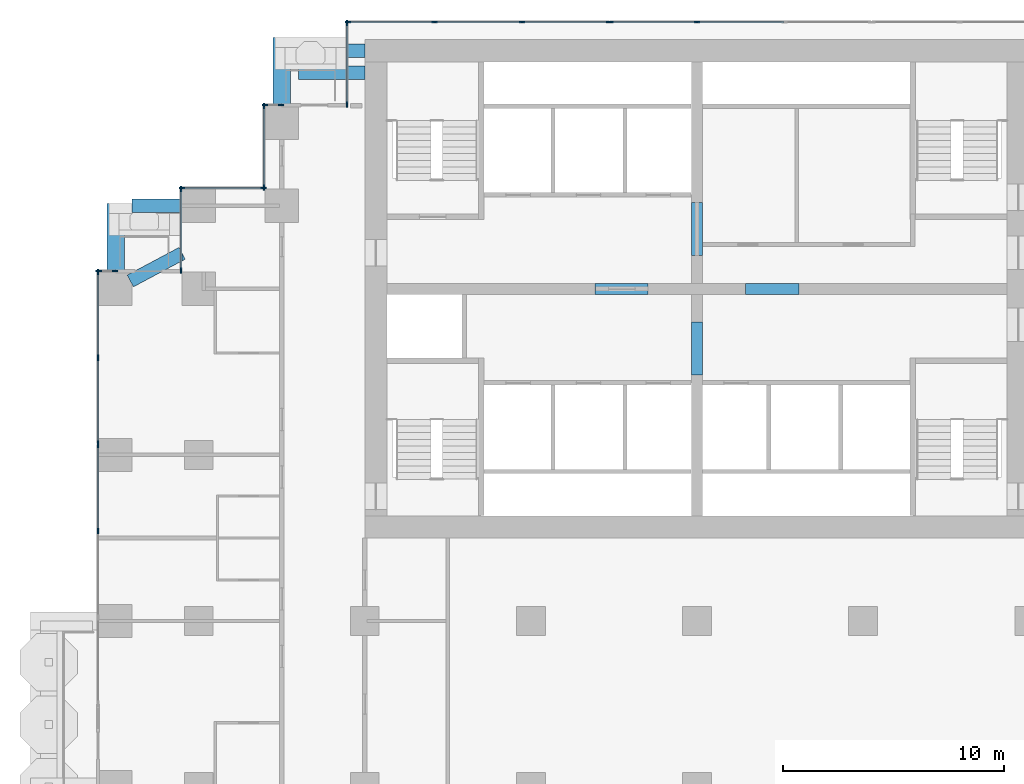
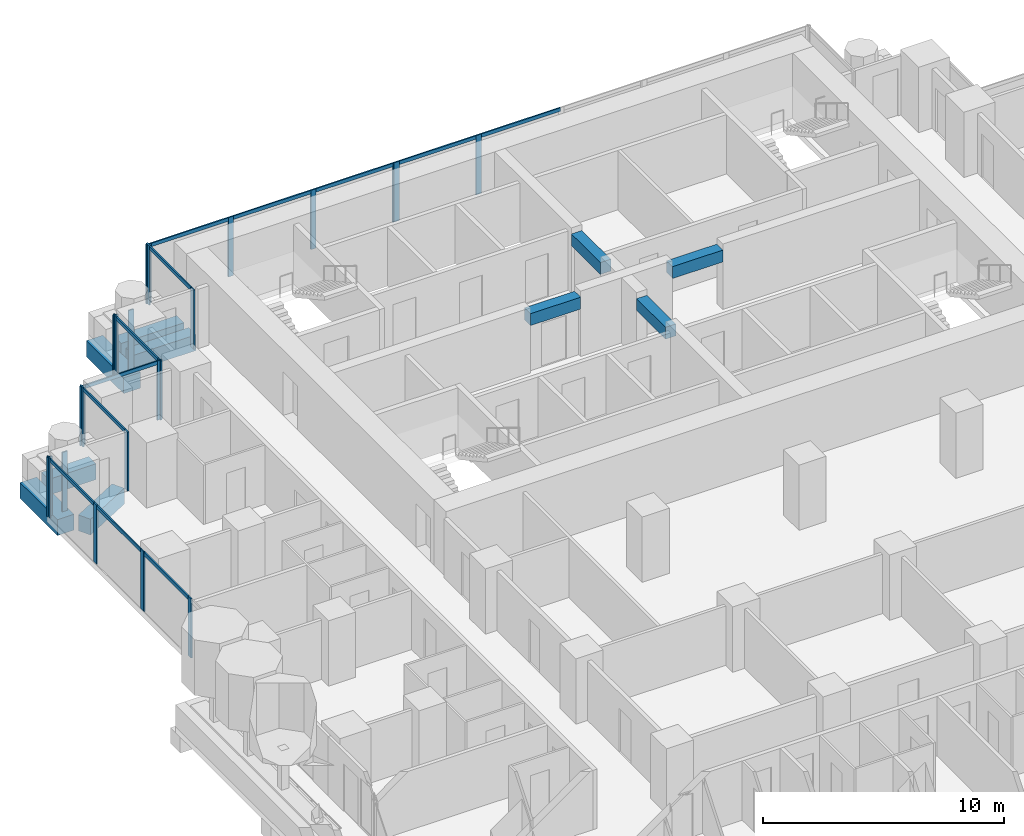
# One storey, part 5 of 19: 35 members, 10 beams, 10 elements without a shape of their own.
"""IFC4 building model written with IfcOpenShell, lengths in metres."""

from ifc_helpers import new_model, si_unit, direction, frame, origin, origin_2d, place, context, subcontext, project, spatial, rectangle, extrude, material, material_profile, profile_set, type_object, element, aggregate, save


model = new_model("IFC4")

# Units and contexts
model_context = context("Model", 3, precision=1e-05, world=origin(), true_north=direction((0.0, 1.0)))
body_context = subcontext(model_context, "Body", "Model", "MODEL_VIEW")
ifc_project = project(units=[si_unit("LENGTHUNIT", "METRE"), si_unit("AREAUNIT", "SQUARE_METRE"), si_unit("VOLUMEUNIT", "CUBIC_METRE"), si_unit("PLANEANGLEUNIT", "RADIAN"), si_unit("MASSUNIT", "GRAM", prefix="KILO")], contexts=[model_context])

# Site, building, storey
site_placement = place(None, origin())
site = spatial("IfcSite", under=ifc_project, at=site_placement, CompositionType="ELEMENT")
building_placement = place(site_placement, origin())
building = spatial("IfcBuilding", under=site, at=building_placement, Name="Pilkhan Gate Tower", CompositionType="ELEMENT")
storey_placement = place(building_placement, frame((0.0, 0.0, 65.89990234375)))
storey = spatial("IfcBuildingStorey", under=building, at=storey_placement, Name="L14", CompositionType="ELEMENT", Elevation=65.89990234375)

# Beams
ifc_material_1 = material(Name="Concrete C50/60", Category="concrete")
ifc_material_profile_1 = material_profile(ifc_material_1, rectangle(XDim=0.60009765625, YDim=0.800048828125, at=origin_2d()), Name="RC 600x800")
ifc_profile_set_1 = profile_set([ifc_material_profile_1], Name="Concrete C50/60")
beam_type_1 = type_object("IfcBeamType", Name="Cantilever beam CB1 RC 600x800 C50/60", PredefinedType="BEAM", material=ifc_profile_set_1)
for number, where, z_axis, x_axis, name in (
    (1, (60.0, 93.25, -0.699951171875), (-1.0, 0.0, 0.0), (0.0, -1.0, 0.0), "Balcony beam NW.2 L14"),
    (2, (60.0, 92.25, -0.699951171875), (-1.0, 0.0, 0.0), (0.0, -1.0, 0.0), "Balcony beam NW.3 L14"),
):
    element("IfcBeam", number, at=place(storey_placement, frame(where, z_axis=z_axis, x_axis=x_axis)), inside=storey, type_object=beam_type_1, Name=name, PredefinedType="BEAM", context=body_context, shape_type="SweptSolid", body=[
        extrude(rectangle(XDim=0.60009765625, YDim=0.800048828125, at=origin_2d()), origin(), (0.0, 0.0, 1.0), 3.0),
    ])
beam_1_placement = place(storey_placement, frame((51.75, 86.25, -0.699951171875), z_axis=(-1.0, 0.0, 0.0), x_axis=(0.0, -1.0, 0.0)))
element("IfcBeam", 3, at=beam_1_placement, inside=storey, type_object=beam_type_1, Name="Balcony beam NW2.2 L14", PredefinedType="BEAM", context=body_context, shape_type="SweptSolid", body=[
    extrude(rectangle(XDim=0.60009765625, YDim=0.800048828125, at=origin_2d()), origin(), (0.0, 0.0, 1.0), 2.25),
])
beam_2_placement = place(storey_placement, frame((49.411865234375, 82.85302734375, -0.699951171875), z_axis=(0.882342739565, 0.470607362817, 0.0), x_axis=(-0.470607362817, 0.882342739565, 0.0)))
element("IfcBeam", 4, at=beam_2_placement, inside=storey, type_object=beam_type_1, Name="Balcony beam NW2.3 L14", PredefinedType="BEAM", context=body_context, shape_type="SweptSolid", body=[
    extrude(rectangle(XDim=0.60009765625, YDim=0.800048828125, at=origin_2d()), origin(), (0.0, 0.0, 1.0), 2.64990234375),
])
ifc_material_profile_2 = material_profile(ifc_material_1, rectangle(XDim=0.800048828125, YDim=0.800048828125, at=origin_2d()), Name="RC 800x800")
ifc_profile_set_2 = profile_set([ifc_material_profile_2], Name="Concrete C50/60")
beam_type_2 = type_object("IfcBeamType", Name="Cantilever beam CB2 RC 800x800 C50/60", PredefinedType="BEAM", material=ifc_profile_set_2)
for number, where, z_axis, x_axis, name in (
    (5, (56.25, 90.75, -0.699951171875), (0.0, 1.0, 0.0), (-1.0, 0.0, 0.0), "Balcony beam NW.1 L14"),
    (6, (48.75, 83.25, -0.699951171875), (0.0, 1.0, 0.0), (-1.0, 0.0, 0.0), "Balcony beam NW2.1 L14"),
):
    element("IfcBeam", number, at=place(storey_placement, frame(where, z_axis=z_axis, x_axis=x_axis)), inside=storey, type_object=beam_type_2, Name=name, PredefinedType="BEAM", context=body_context, shape_type="SweptSolid", body=[
        extrude(rectangle(XDim=0.800048828125, YDim=0.800048828125, at=origin_2d()), origin(), (0.0, 0.0, 1.0), 3.10009765625),
    ])
ifc_material_2 = material(Name="Concrete C70/85", Category="concrete")
ifc_material_profile_3 = material_profile(ifc_material_2, rectangle(XDim=0.5, YDim=0.60009765625, at=origin_2d()), Name="RC 500x600")
ifc_profile_set_3 = profile_set([ifc_material_profile_3], Name="Concrete C70/85")
beam_type_3 = type_object("IfcBeamType", Name="Coupling beam CB60 RC 500x600 C70/85", PredefinedType="LINTEL", material=ifc_profile_set_3)
for number, where, z_axis, x_axis, name in (
    (7, (70.39990234375, 82.5, 2.7001953125), (1.0, 0.0, 0.0), (0.0, 1.0, 0.0), "Coupling beam 1 L14"),
    (8, (77.199951171875, 82.5, 2.7001953125), (1.0, 0.0, 0.0), (0.0, 1.0, 0.0), "Coupling beam 2 L14"),
):
    element("IfcBeam", number, at=place(storey_placement, frame(where, z_axis=z_axis, x_axis=x_axis)), inside=storey, type_object=beam_type_3, Name=name, PredefinedType="LINTEL", context=body_context, shape_type="SweptSolid", body=[
        extrude(rectangle(XDim=0.5, YDim=0.60009765625, at=origin_2d()), origin(), (0.0, 0.0, 1.0), 2.400146484375),
    ])
for number, where, z_axis, x_axis, name in (
    (9, (75.0, 78.60009765625, 2.7001953125), (0.0, 1.0, 0.0), (-1.0, 0.0, 0.0), "Coupling beam 3 L14"),
    (10, (75.0, 84.0, 2.7001953125), (0.0, 1.0, 0.0), (-1.0, 0.0, 0.0), "Coupling beam 4 L14"),
):
    element("IfcBeam", number, at=place(storey_placement, frame(where, z_axis=z_axis, x_axis=x_axis)), inside=storey, type_object=beam_type_3, Name=name, PredefinedType="LINTEL", context=body_context, shape_type="SweptSolid", body=[
        extrude(rectangle(XDim=0.5, YDim=0.60009765625, at=origin_2d()), origin(), (0.0, 0.0, 1.0), 2.39990234375),
    ])

# Curtain wall, members
ifc_material_3 = material(Name="Pale anodised aluminium, clear low-iron double glazing", Category="aluminium")
curtain_wall_type = type_object("IfcCurtainWallType", Name="Hotel unitised curtain wall CW-H", PredefinedType="USERDEFINED", material=ifc_material_3)
curtain_wall_1_placement = place(storey_placement, origin())
curtain_wall_1 = element("IfcCurtainWall", 11, at=curtain_wall_1_placement, inside=storey, type_object=curtain_wall_type, Name="Hotel unitised curtain wall CW-H L14 N", ObjectType="UNITISED CURTAIN WALL", PredefinedType="USERDEFINED")
ifc_material_4 = material(Name="Pale anodised aluminium", Category="aluminium")
ifc_material_profile_4 = material_profile(ifc_material_4, rectangle(XDim=0.06494140625, YDim=0.25, at=origin_2d()), Name="Mullion 250x65")
ifc_profile_set_4 = profile_set([ifc_material_profile_4], Name="Pale anodised aluminium")
member_type_1 = type_object("IfcMemberType", Name="Mullion CW-H 250x65", PredefinedType="MULLION", material=ifc_profile_set_4)
member_1_placement = place(storey_placement, frame((59.237548828125, 94.544921875, 0.0), z_axis=(0.0, 0.0, 1.0), x_axis=(0.0, 1.0, 0.0)))
member_1 = element("IfcMember", 12, at=member_1_placement, type_object=member_type_1, Name="CW-H mullion 1", PredefinedType="MULLION", context=body_context, shape_type="SweptSolid", body=[
    extrude(rectangle(XDim=0.06494140625, YDim=0.25, at=origin_2d()), origin(), (0.0, 0.0, 1.0), 3.0),
])
member_2_placement = place(storey_placement, frame((63.15380859375, 94.544921875, 0.0), z_axis=(0.0, 0.0, 1.0), x_axis=(0.0, 1.0, 0.0)))
member_2 = element("IfcMember", 13, at=member_2_placement, type_object=member_type_1, Name="CW-H mullion 2", PredefinedType="MULLION", context=body_context, shape_type="SweptSolid", body=[
    extrude(rectangle(XDim=0.06494140625, YDim=0.25, at=origin_2d()), origin(), (0.0, 0.0, 1.0), 3.0),
])
member_3_placement = place(storey_placement, frame((67.1025390625, 94.544921875, 0.0), z_axis=(0.0, 0.0, 1.0), x_axis=(0.0, 1.0, 0.0)))
member_3 = element("IfcMember", 14, at=member_3_placement, type_object=member_type_1, Name="CW-H mullion 3", PredefinedType="MULLION", context=body_context, shape_type="SweptSolid", body=[
    extrude(rectangle(XDim=0.06494140625, YDim=0.25, at=origin_2d()), origin(), (0.0, 0.0, 1.0), 3.0),
])
member_4_placement = place(storey_placement, frame((71.018798828125, 94.544921875, 0.0), z_axis=(0.0, 0.0, 1.0), x_axis=(0.0, 1.0, 0.0)))
member_4 = element("IfcMember", 15, at=member_4_placement, type_object=member_type_1, Name="CW-H mullion 4", PredefinedType="MULLION", context=body_context, shape_type="SweptSolid", body=[
    extrude(rectangle(XDim=0.06494140625, YDim=0.25, at=origin_2d()), origin(), (0.0, 0.0, 1.0), 3.0),
])

curtain_wall_2_placement = place(storey_placement, origin())
curtain_wall_2 = element("IfcCurtainWall", 16, at=curtain_wall_2_placement, inside=storey, type_object=curtain_wall_type, Name="Hotel unitised curtain wall CW-H L14 N", ObjectType="UNITISED CURTAIN WALL", PredefinedType="USERDEFINED")
member_5_placement = place(storey_placement, frame((71.083740234375, 94.544921875, 0.0), z_axis=(0.0, 0.0, 1.0), x_axis=(0.0, 1.0, 0.0)))
member_5 = element("IfcMember", 17, at=member_5_placement, type_object=member_type_1, Name="CW-H mullion 1", PredefinedType="MULLION", context=body_context, shape_type="SweptSolid", body=[
    extrude(rectangle(XDim=0.06494140625, YDim=0.25, at=origin_2d()), origin(), (0.0, 0.0, 1.0), 3.0),
])
member_6_placement = place(storey_placement, frame((75.0, 94.544921875, 0.0), z_axis=(0.0, 0.0, 1.0), x_axis=(0.0, 1.0, 0.0)))
member_6 = element("IfcMember", 18, at=member_6_placement, type_object=member_type_1, Name="CW-H mullion 2", PredefinedType="MULLION", context=body_context, shape_type="SweptSolid", body=[
    extrude(rectangle(XDim=0.06494140625, YDim=0.25, at=origin_2d()), origin(), (0.0, 0.0, 1.0), 3.0),
])

curtain_wall_3_placement = place(storey_placement, origin())
curtain_wall_3 = element("IfcCurtainWall", 19, at=curtain_wall_3_placement, inside=storey, type_object=curtain_wall_type, Name="Hotel unitised curtain wall CW-H L14 W", ObjectType="UNITISED CURTAIN WALL", PredefinedType="USERDEFINED")
member_7_placement = place(storey_placement, frame((59.205078125, 90.827392578125, 0.0), z_axis=(0.0, 0.0, 1.0), x_axis=(-1.0, 0.0, 0.0)))
member_7 = element("IfcMember", 20, at=member_7_placement, type_object=member_type_1, Name="CW-H mullion 1", PredefinedType="MULLION", context=body_context, shape_type="SweptSolid", body=[
    extrude(rectangle(XDim=0.06494140625, YDim=0.25, at=origin_2d()), origin(), (0.0, 0.0, 1.0), 3.0),
])
member_8_placement = place(storey_placement, frame((59.205078125, 94.512451171875, 0.0), z_axis=(0.0, 0.0, 1.0), x_axis=(-1.0, 0.0, 0.0)))
member_8 = element("IfcMember", 21, at=member_8_placement, type_object=member_type_1, Name="CW-H mullion 2", PredefinedType="MULLION", context=body_context, shape_type="SweptSolid", body=[
    extrude(rectangle(XDim=0.06494140625, YDim=0.25, at=origin_2d()), origin(), (0.0, 0.0, 1.0), 3.0),
])

curtain_wall_4_placement = place(storey_placement, origin())
curtain_wall_4 = element("IfcCurtainWall", 22, at=curtain_wall_4_placement, inside=storey, type_object=curtain_wall_type, Name="Hotel unitised curtain wall CW-H L14 N", ObjectType="UNITISED CURTAIN WALL", PredefinedType="USERDEFINED")
member_9_placement = place(storey_placement, frame((55.487548828125, 90.794921875, 0.0), z_axis=(0.0, 0.0, 1.0), x_axis=(0.0, 1.0, 0.0)))
member_9 = element("IfcMember", 23, at=member_9_placement, type_object=member_type_1, Name="CW-H mullion 1", PredefinedType="MULLION", context=body_context, shape_type="SweptSolid", body=[
    extrude(rectangle(XDim=0.06494140625, YDim=0.25, at=origin_2d()), origin(), (0.0, 0.0, 1.0), 3.0),
])
member_10_placement = place(storey_placement, frame((56.217529296875, 90.794921875, 0.0), z_axis=(0.0, 0.0, 1.0), x_axis=(0.0, 1.0, 0.0)))
member_10 = element("IfcMember", 24, at=member_10_placement, type_object=member_type_1, Name="CW-H mullion 2", PredefinedType="MULLION", context=body_context, shape_type="SweptSolid", body=[
    extrude(rectangle(XDim=0.06494140625, YDim=0.25, at=origin_2d()), origin(), (0.0, 0.0, 1.0), 3.0),
])
aggregate(curtain_wall_4, [member_9, member_10])

curtain_wall_5_placement = place(storey_placement, origin())
curtain_wall_5 = element("IfcCurtainWall", 25, at=curtain_wall_5_placement, inside=storey, type_object=curtain_wall_type, Name="Hotel unitised curtain wall CW-H L14 W", ObjectType="UNITISED CURTAIN WALL", PredefinedType="USERDEFINED")
member_11_placement = place(storey_placement, frame((55.455078125, 87.077392578125, 0.0), z_axis=(0.0, 0.0, 1.0), x_axis=(-1.0, 0.0, 0.0)))
member_11 = element("IfcMember", 26, at=member_11_placement, type_object=member_type_1, Name="CW-H mullion 1", PredefinedType="MULLION", context=body_context, shape_type="SweptSolid", body=[
    extrude(rectangle(XDim=0.06494140625, YDim=0.25, at=origin_2d()), origin(), (0.0, 0.0, 1.0), 3.0),
])
member_12_placement = place(storey_placement, frame((55.455078125, 90.762451171875, 0.0), z_axis=(0.0, 0.0, 1.0), x_axis=(-1.0, 0.0, 0.0)))
member_12 = element("IfcMember", 27, at=member_12_placement, type_object=member_type_1, Name="CW-H mullion 2", PredefinedType="MULLION", context=body_context, shape_type="SweptSolid", body=[
    extrude(rectangle(XDim=0.06494140625, YDim=0.25, at=origin_2d()), origin(), (0.0, 0.0, 1.0), 3.0),
])

curtain_wall_6_placement = place(storey_placement, origin())
curtain_wall_6 = element("IfcCurtainWall", 28, at=curtain_wall_6_placement, inside=storey, type_object=curtain_wall_type, Name="Hotel unitised curtain wall CW-H L14 N", ObjectType="UNITISED CURTAIN WALL", PredefinedType="USERDEFINED")
member_13_placement = place(storey_placement, frame((51.737548828125, 87.044921875, 0.0), z_axis=(0.0, 0.0, 1.0), x_axis=(0.0, 1.0, 0.0)))
member_13 = element("IfcMember", 29, at=member_13_placement, type_object=member_type_1, Name="CW-H mullion 1", PredefinedType="MULLION", context=body_context, shape_type="SweptSolid", body=[
    extrude(rectangle(XDim=0.06494140625, YDim=0.25, at=origin_2d()), origin(), (0.0, 0.0, 1.0), 3.0),
])
member_14_placement = place(storey_placement, frame((55.422607421875, 87.044921875, 0.0), z_axis=(0.0, 0.0, 1.0), x_axis=(0.0, 1.0, 0.0)))
member_14 = element("IfcMember", 30, at=member_14_placement, type_object=member_type_1, Name="CW-H mullion 2", PredefinedType="MULLION", context=body_context, shape_type="SweptSolid", body=[
    extrude(rectangle(XDim=0.06494140625, YDim=0.25, at=origin_2d()), origin(), (0.0, 0.0, 1.0), 3.0),
])

curtain_wall_7_placement = place(storey_placement, origin())
curtain_wall_7 = element("IfcCurtainWall", 31, at=curtain_wall_7_placement, inside=storey, type_object=curtain_wall_type, Name="Hotel unitised curtain wall CW-H L14 W", ObjectType="UNITISED CURTAIN WALL", PredefinedType="USERDEFINED")
member_15_placement = place(storey_placement, frame((51.705078125, 83.327392578125, 0.0), z_axis=(0.0, 0.0, 1.0), x_axis=(-1.0, 0.0, 0.0)))
member_15 = element("IfcMember", 32, at=member_15_placement, type_object=member_type_1, Name="CW-H mullion 1", PredefinedType="MULLION", context=body_context, shape_type="SweptSolid", body=[
    extrude(rectangle(XDim=0.06494140625, YDim=0.25, at=origin_2d()), origin(), (0.0, 0.0, 1.0), 3.0),
])
member_16_placement = place(storey_placement, frame((51.705078125, 87.012451171875, 0.0), z_axis=(0.0, 0.0, 1.0), x_axis=(-1.0, 0.0, 0.0)))
member_16 = element("IfcMember", 33, at=member_16_placement, type_object=member_type_1, Name="CW-H mullion 2", PredefinedType="MULLION", context=body_context, shape_type="SweptSolid", body=[
    extrude(rectangle(XDim=0.06494140625, YDim=0.25, at=origin_2d()), origin(), (0.0, 0.0, 1.0), 3.0),
])

curtain_wall_8_placement = place(storey_placement, origin())
curtain_wall_8 = element("IfcCurtainWall", 34, at=curtain_wall_8_placement, inside=storey, type_object=curtain_wall_type, Name="Hotel unitised curtain wall CW-H L14 N", ObjectType="UNITISED CURTAIN WALL", PredefinedType="USERDEFINED")
member_17_placement = place(storey_placement, frame((47.987548828125, 83.294921875, 0.0), z_axis=(0.0, 0.0, 1.0), x_axis=(0.0, 1.0, 0.0)))
member_17 = element("IfcMember", 35, at=member_17_placement, type_object=member_type_1, Name="CW-H mullion 1", PredefinedType="MULLION", context=body_context, shape_type="SweptSolid", body=[
    extrude(rectangle(XDim=0.06494140625, YDim=0.25, at=origin_2d()), origin(), (0.0, 0.0, 1.0), 3.0),
])
member_18_placement = place(storey_placement, frame((48.717529296875, 83.294921875, 0.0), z_axis=(0.0, 0.0, 1.0), x_axis=(0.0, 1.0, 0.0)))
member_18 = element("IfcMember", 36, at=member_18_placement, type_object=member_type_1, Name="CW-H mullion 2", PredefinedType="MULLION", context=body_context, shape_type="SweptSolid", body=[
    extrude(rectangle(XDim=0.06494140625, YDim=0.25, at=origin_2d()), origin(), (0.0, 0.0, 1.0), 3.0),
])
aggregate(curtain_wall_8, [member_17, member_18])

curtain_wall_9_placement = place(storey_placement, origin())
curtain_wall_9 = element("IfcCurtainWall", 37, at=curtain_wall_9_placement, inside=storey, type_object=curtain_wall_type, Name="Hotel unitised curtain wall CW-H L14 W", ObjectType="UNITISED CURTAIN WALL", PredefinedType="USERDEFINED")
member_19_placement = place(storey_placement, frame((47.955078125, 71.568115234375, 0.0), z_axis=(0.0, 0.0, 1.0), x_axis=(-1.0, 0.0, 0.0)))
member_19 = element("IfcMember", 38, at=member_19_placement, type_object=member_type_1, Name="CW-H mullion 3", PredefinedType="MULLION", context=body_context, shape_type="SweptSolid", body=[
    extrude(rectangle(XDim=0.06494140625, YDim=0.25, at=origin_2d()), origin(), (0.0, 0.0, 1.0), 3.0),
])
member_20_placement = place(storey_placement, frame((47.955078125, 75.444580078125, 0.0), z_axis=(0.0, 0.0, 1.0), x_axis=(-1.0, 0.0, 0.0)))
member_20 = element("IfcMember", 39, at=member_20_placement, type_object=member_type_1, Name="CW-H mullion 4", PredefinedType="MULLION", context=body_context, shape_type="SweptSolid", body=[
    extrude(rectangle(XDim=0.06494140625, YDim=0.25, at=origin_2d()), origin(), (0.0, 0.0, 1.0), 3.0),
])

curtain_wall_10_placement = place(storey_placement, origin())
curtain_wall_10 = element("IfcCurtainWall", 40, at=curtain_wall_10_placement, inside=storey, type_object=curtain_wall_type, Name="Hotel unitised curtain wall CW-H L14 W", ObjectType="UNITISED CURTAIN WALL", PredefinedType="USERDEFINED")
member_21_placement = place(storey_placement, frame((47.955078125, 75.509521484375, 0.0), z_axis=(0.0, 0.0, 1.0), x_axis=(-1.0, 0.0, 0.0)))
member_21 = element("IfcMember", 41, at=member_21_placement, type_object=member_type_1, Name="CW-H mullion 1", PredefinedType="MULLION", context=body_context, shape_type="SweptSolid", body=[
    extrude(rectangle(XDim=0.06494140625, YDim=0.25, at=origin_2d()), origin(), (0.0, 0.0, 1.0), 3.0),
])
member_22_placement = place(storey_placement, frame((47.955078125, 79.385986328125, 0.0), z_axis=(0.0, 0.0, 1.0), x_axis=(-1.0, 0.0, 0.0)))
member_22 = element("IfcMember", 42, at=member_22_placement, type_object=member_type_1, Name="CW-H mullion 2", PredefinedType="MULLION", context=body_context, shape_type="SweptSolid", body=[
    extrude(rectangle(XDim=0.06494140625, YDim=0.25, at=origin_2d()), origin(), (0.0, 0.0, 1.0), 3.0),
])
member_23_placement = place(storey_placement, frame((47.955078125, 83.262451171875, 0.0), z_axis=(0.0, 0.0, 1.0), x_axis=(-1.0, 0.0, 0.0)))
member_23 = element("IfcMember", 43, at=member_23_placement, type_object=member_type_1, Name="CW-H mullion 3", PredefinedType="MULLION", context=body_context, shape_type="SweptSolid", body=[
    extrude(rectangle(XDim=0.06494140625, YDim=0.25, at=origin_2d()), origin(), (0.0, 0.0, 1.0), 3.0),
])

# Member
ifc_material_profile_5 = material_profile(ifc_material_4, rectangle(XDim=0.06494140625, YDim=0.179931640625, at=origin_2d()), Name="Transom 180x65")
ifc_profile_set_5 = profile_set([ifc_material_profile_5], Name="Pale anodised aluminium")
member_type_2 = type_object("IfcMemberType", Name="Transom CW-H 180x65", PredefinedType="USERDEFINED", material=ifc_profile_set_5)
member_24_placement = place(storey_placement, frame((59.27001953125, 94.544921875, 2.91015625), z_axis=(1.0, 0.0, 0.0), x_axis=(0.0, 1.0, 0.0)))
member_24 = element("IfcMember", 44, at=member_24_placement, type_object=member_type_2, Name="CW-H transom 1", ObjectType="TRANSOM", PredefinedType="USERDEFINED", context=body_context, shape_type="SweptSolid", body=[
    extrude(rectangle(XDim=0.06494140625, YDim=0.179931640625, at=origin_2d()), origin(), (0.0, 0.0, 1.0), 3.851318359375),
])

member_25_placement = place(storey_placement, frame((63.186279296875, 94.544921875, 2.91015625), z_axis=(1.0, 0.0, 0.0), x_axis=(0.0, 1.0, 0.0)))
member_25 = element("IfcMember", 45, at=member_25_placement, type_object=member_type_2, Name="CW-H transom 2", ObjectType="TRANSOM", PredefinedType="USERDEFINED", context=body_context, shape_type="SweptSolid", body=[
    extrude(rectangle(XDim=0.06494140625, YDim=0.179931640625, at=origin_2d()), origin(), (0.0, 0.0, 1.0), 3.8837890625),
])

member_26_placement = place(storey_placement, frame((67.135009765625, 94.544921875, 2.91015625), z_axis=(1.0, 0.0, 0.0), x_axis=(0.0, 1.0, 0.0)))
member_26 = element("IfcMember", 46, at=member_26_placement, type_object=member_type_2, Name="CW-H transom 3", ObjectType="TRANSOM", PredefinedType="USERDEFINED", context=body_context, shape_type="SweptSolid", body=[
    extrude(rectangle(XDim=0.06494140625, YDim=0.179931640625, at=origin_2d()), origin(), (0.0, 0.0, 1.0), 3.851318359375),
])

aggregate(curtain_wall_1, [member_1, member_2, member_3, member_4, member_24, member_25, member_26])

member_27_placement = place(storey_placement, frame((71.1162109375, 94.544921875, 2.91015625), z_axis=(1.0, 0.0, 0.0), x_axis=(0.0, 1.0, 0.0)))
member_27 = element("IfcMember", 47, at=member_27_placement, type_object=member_type_2, Name="CW-H transom 1", ObjectType="TRANSOM", PredefinedType="USERDEFINED", context=body_context, shape_type="SweptSolid", body=[
    extrude(rectangle(XDim=0.06494140625, YDim=0.179931640625, at=origin_2d()), origin(), (0.0, 0.0, 1.0), 3.851318359375),
])

member_28_placement = place(storey_placement, frame((75.032470703125, 94.544921875, 2.91015625), z_axis=(1.0, 0.0, 0.0), x_axis=(0.0, 1.0, 0.0)))
member_28 = element("IfcMember", 48, at=member_28_placement, type_object=member_type_2, Name="CW-H transom 2", ObjectType="TRANSOM", PredefinedType="USERDEFINED", context=body_context, shape_type="SweptSolid", body=[
    extrude(rectangle(XDim=0.06494140625, YDim=0.179931640625, at=origin_2d()), origin(), (0.0, 0.0, 1.0), 3.8837890625),
])

aggregate(curtain_wall_2, [member_5, member_6, member_27, member_28])

member_29_placement = place(storey_placement, frame((59.205078125, 90.860107421875, 2.91015625), z_axis=(0.0, 1.0, 0.0), x_axis=(-1.0, 0.0, 0.0)))
member_29 = element("IfcMember", 49, at=member_29_placement, type_object=member_type_2, Name="CW-H transom 1", ObjectType="TRANSOM", PredefinedType="USERDEFINED", context=body_context, shape_type="SweptSolid", body=[
    extrude(rectangle(XDim=0.06494140625, YDim=0.179931640625, at=origin_2d()), origin(), (0.0, 0.0, 1.0), 3.619873046875),
])

aggregate(curtain_wall_3, [member_7, member_8, member_29])

member_30_placement = place(storey_placement, frame((55.455078125, 87.110107421875, 2.91015625), z_axis=(0.0, 1.0, 0.0), x_axis=(-1.0, 0.0, 0.0)))
member_30 = element("IfcMember", 50, at=member_30_placement, type_object=member_type_2, Name="CW-H transom 1", ObjectType="TRANSOM", PredefinedType="USERDEFINED", context=body_context, shape_type="SweptSolid", body=[
    extrude(rectangle(XDim=0.06494140625, YDim=0.179931640625, at=origin_2d()), origin(), (0.0, 0.0, 1.0), 3.619873046875),
])

aggregate(curtain_wall_5, [member_11, member_12, member_30])

member_31_placement = place(storey_placement, frame((51.77001953125, 87.044921875, 2.91015625), z_axis=(1.0, 0.0, 0.0), x_axis=(0.0, 1.0, 0.0)))
member_31 = element("IfcMember", 51, at=member_31_placement, type_object=member_type_2, Name="CW-H transom 1", ObjectType="TRANSOM", PredefinedType="USERDEFINED", context=body_context, shape_type="SweptSolid", body=[
    extrude(rectangle(XDim=0.06494140625, YDim=0.179931640625, at=origin_2d()), origin(), (0.0, 0.0, 1.0), 3.619873046875),
])

aggregate(curtain_wall_6, [member_13, member_14, member_31])

member_32_placement = place(storey_placement, frame((51.705078125, 83.360107421875, 2.91015625), z_axis=(0.0, 1.0, 0.0), x_axis=(-1.0, 0.0, 0.0)))
member_32 = element("IfcMember", 52, at=member_32_placement, type_object=member_type_2, Name="CW-H transom 1", ObjectType="TRANSOM", PredefinedType="USERDEFINED", context=body_context, shape_type="SweptSolid", body=[
    extrude(rectangle(XDim=0.06494140625, YDim=0.179931640625, at=origin_2d()), origin(), (0.0, 0.0, 1.0), 3.619873046875),
])

aggregate(curtain_wall_7, [member_15, member_16, member_32])

member_33_placement = place(storey_placement, frame((47.955078125, 71.6005859375, 2.91015625), z_axis=(0.0, 1.0, 0.0), x_axis=(-1.0, 0.0, 0.0)))
member_33 = element("IfcMember", 53, at=member_33_placement, type_object=member_type_2, Name="CW-H transom 3", ObjectType="TRANSOM", PredefinedType="USERDEFINED", context=body_context, shape_type="SweptSolid", body=[
    extrude(rectangle(XDim=0.06494140625, YDim=0.179931640625, at=origin_2d()), origin(), (0.0, 0.0, 1.0), 3.8115234375),
])

aggregate(curtain_wall_9, [member_19, member_20, member_33])

member_34_placement = place(storey_placement, frame((47.955078125, 75.5419921875, 2.91015625), z_axis=(0.0, 1.0, 0.0), x_axis=(-1.0, 0.0, 0.0)))
member_34 = element("IfcMember", 54, at=member_34_placement, type_object=member_type_2, Name="CW-H transom 1", ObjectType="TRANSOM", PredefinedType="USERDEFINED", context=body_context, shape_type="SweptSolid", body=[
    extrude(rectangle(XDim=0.06494140625, YDim=0.179931640625, at=origin_2d()), origin(), (0.0, 0.0, 1.0), 3.8115234375),
])

member_35_placement = place(storey_placement, frame((47.955078125, 79.41845703125, 2.91015625), z_axis=(0.0, 1.0, 0.0), x_axis=(-1.0, 0.0, 0.0)))
member_35 = element("IfcMember", 55, at=member_35_placement, type_object=member_type_2, Name="CW-H transom 2", ObjectType="TRANSOM", PredefinedType="USERDEFINED", context=body_context, shape_type="SweptSolid", body=[
    extrude(rectangle(XDim=0.06494140625, YDim=0.179931640625, at=origin_2d()), origin(), (0.0, 0.0, 1.0), 3.8115234375),
])

aggregate(curtain_wall_10, [member_21, member_22, member_23, member_34, member_35])

save(model, "model.ifc")
